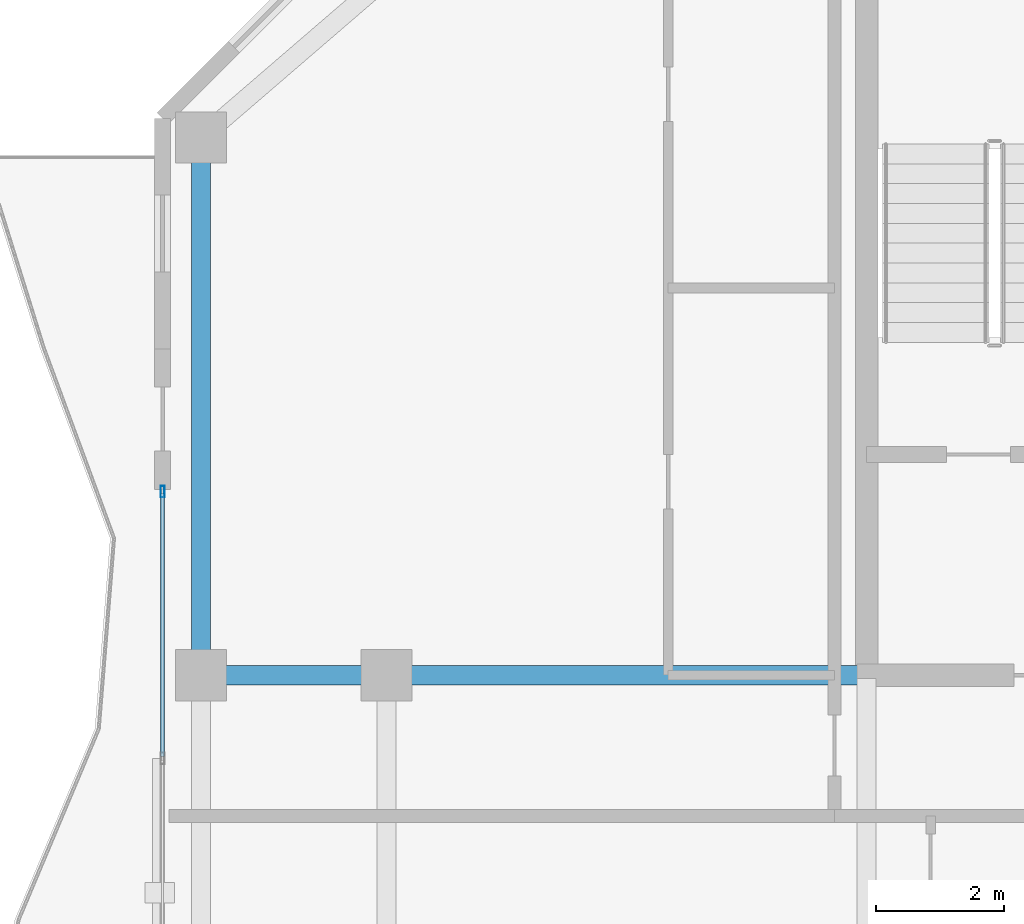
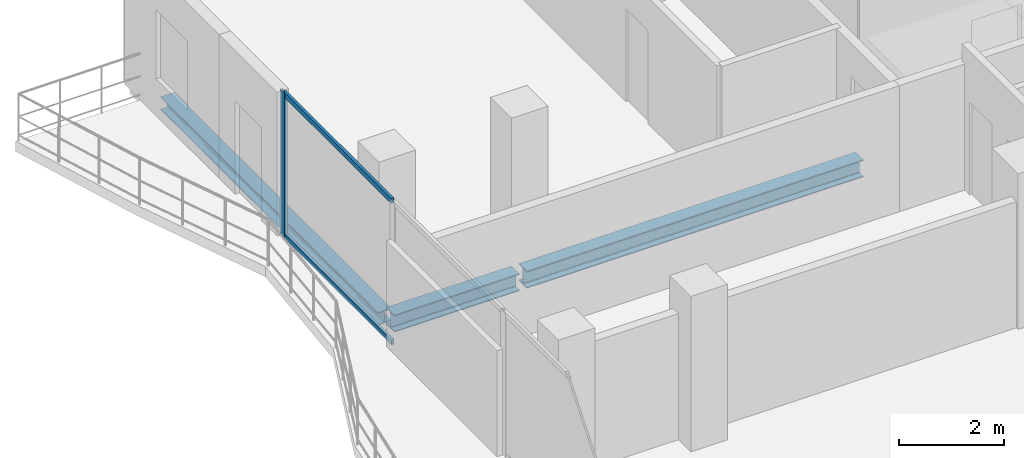
# One storey, part 9 of 23: 3 beams, 3 members, 1 element without a shape of its own.
"""IFC4 building model written with IfcOpenShell, lengths in metres."""

from ifc_helpers import new_model, si_unit, direction, frame, origin, origin_2d, place, context, subcontext, project, spatial, hollow_rectangle, i_section, extrude, material, layer, layer_set, material_profile, profile_set, type_object, element, aggregate, save


model = new_model("IFC4")

# Units and contexts
model_context = context("Model", 3, precision=1e-05, world=origin(), true_north=direction((0.0, 1.0)))
body_context = subcontext(model_context, "Body", "Model", "MODEL_VIEW")
ifc_project = project(units=[si_unit("LENGTHUNIT", "METRE"), si_unit("AREAUNIT", "SQUARE_METRE"), si_unit("VOLUMEUNIT", "CUBIC_METRE"), si_unit("PLANEANGLEUNIT", "RADIAN"), si_unit("MASSUNIT", "GRAM", prefix="KILO")], contexts=[model_context])

# Site, building, storey
site_placement = place(None, origin())
site = spatial("IfcSite", under=ifc_project, at=site_placement, CompositionType="ELEMENT")
building_placement = place(site_placement, origin())
building = spatial("IfcBuilding", under=site, at=building_placement, Name="Catumbela Crestline Tower", CompositionType="ELEMENT")
storey_placement = place(building_placement, frame((0.0, 0.0, 183.0)))
storey = spatial("IfcBuildingStorey", under=building, at=storey_placement, Name="L47", CompositionType="ELEMENT", Elevation=183.0)

# Beams
ifc_material_1 = material(Name="Structural steel S355J2", Category="steel")
ifc_material_profile_1 = material_profile(ifc_material_1, i_section(OverallWidth=0.3, OverallDepth=0.4, WebThickness=0.0135, FlangeThickness=0.024, FilletRadius=0.027, at=origin_2d()), Name="HEB 400")
ifc_profile_set_1 = profile_set([ifc_material_profile_1], Name="Structural steel S355J2")
beam_type_1 = type_object("IfcBeamType", Name="BG-HEB400", PredefinedType="BEAM", material=ifc_profile_set_1)
beam_1_placement = place(storey_placement, frame((5.68, 30.8, -0.46), z_axis=(1.0, 0.0, 0.0), x_axis=(0.0, 1.0, 0.0)))
element("IfcBeam", 1, at=beam_1_placement, inside=storey, type_object=beam_type_1, Name="L47 Beam BM-L47-M06", PredefinedType="BEAM", context=body_context, shape_type="SweptSolid", body=[
    extrude(i_section(OverallWidth=0.3, OverallDepth=0.4, WebThickness=0.0135, FlangeThickness=0.024, FilletRadius=0.027, at=origin_2d()), origin(), (0.0, 0.0, 1.0), 2.74),
])
beam_2_placement = place(storey_placement, frame((8.58, 30.8, -0.46), z_axis=(1.0, 0.0, 0.0), x_axis=(0.0, 1.0, 0.0)))
element("IfcBeam", 2, at=beam_2_placement, inside=storey, type_object=beam_type_1, Name="L47 Beam BM-L47-M07", PredefinedType="BEAM", context=body_context, shape_type="SweptSolid", body=[
    extrude(i_section(OverallWidth=0.3, OverallDepth=0.4, WebThickness=0.0135, FlangeThickness=0.024, FilletRadius=0.027, at=origin_2d()), origin(), (0.0, 0.0, 1.0), 7.37),
])

# Curtain wall, member
ifc_material_2 = material(Name="Aluminium alloy AW-6060-T66", Category="aluminium")
ifc_layer = layer(ifc_material_2, 0.18, Name="Aluminium alloy AW-6060-T66")
ifc_layer_set = layer_set([ifc_layer], Name="Aluminium alloy AW-6060-T66")
curtain_wall_type = type_object("IfcCurtainWallType", Name="CWU-Z3", PredefinedType="USERDEFINED", material=ifc_layer_set)
curtain_wall_placement = place(storey_placement, origin())
curtain_wall = element("IfcCurtainWall", 3, at=curtain_wall_placement, inside=storey, type_object=curtain_wall_type, Name="L47 Unitised Curtain Wall CW-L47-E9S2", ObjectType="UNITISED", PredefinedType="USERDEFINED")
ifc_material_profile_2 = material_profile(ifc_material_2, hollow_rectangle(XDim=0.065, YDim=0.18, WallThickness=0.004, at=origin_2d()), Name="ALU 180x65x4")
ifc_profile_set_2 = profile_set([ifc_material_profile_2], Name="Aluminium alloy AW-6060-T66")
member_type_1 = type_object("IfcMemberType", Name="MUL-180X65", PredefinedType="MULLION", material=ifc_profile_set_2)
member_1_placement = place(storey_placement, frame((5.0, 33.6675, 0.0), z_axis=(0.0, 0.0, 1.0), x_axis=(1.0, 0.0, 0.0)))
member_1 = element("IfcMember", 4, at=member_1_placement, type_object=member_type_1, Name="CWU-Z3 mullion 1", PredefinedType="MULLION", context=body_context, shape_type="SweptSolid", body=[
    extrude(hollow_rectangle(XDim=0.065, YDim=0.18, WallThickness=0.004, at=origin_2d()), origin(), (0.0, 0.0, 1.0), 3.33),
])

# Beam
ifc_material_profile_3 = material_profile(ifc_material_1, i_section(OverallWidth=0.3, OverallDepth=0.3, WebThickness=0.011, FlangeThickness=0.019, FilletRadius=0.027, at=origin_2d()), Name="HEB 300")
ifc_profile_set_3 = profile_set([ifc_material_profile_3], Name="Structural steel S355J2")
beam_type_2 = type_object("IfcBeamType", Name="BS-HEB300", PredefinedType="SPANDREL", material=ifc_profile_set_3)
beam_3_placement = place(storey_placement, frame((5.6, 30.88, -0.41), z_axis=(0.0, 1.0, 0.0), x_axis=(-1.0, 0.0, 0.0)))
element("IfcBeam", 5, at=beam_3_placement, inside=storey, type_object=beam_type_2, Name="L47 Spandrel SP-L47-SN15", PredefinedType="SPANDREL", context=body_context, shape_type="SweptSolid", body=[
    extrude(i_section(OverallWidth=0.3, OverallDepth=0.3, WebThickness=0.011, FlangeThickness=0.019, FilletRadius=0.027, at=origin_2d()), origin(), (0.0, 0.0, 1.0), 8.24),
])

# Member
ifc_material_profile_4 = material_profile(ifc_material_2, hollow_rectangle(XDim=0.06, YDim=0.12, WallThickness=0.0035, at=origin_2d()), Name="ALU 120x60x3.5")
ifc_profile_set_4 = profile_set([ifc_material_profile_4], Name="Aluminium alloy AW-6060-T66")
member_type_2 = type_object("IfcMemberType", Name="TRN-120X60", PredefinedType="USERDEFINED", material=ifc_profile_set_4)
member_2_placement = place(storey_placement, frame((5.0, 33.635, 0.03), z_axis=(0.0, -1.0, 0.0), x_axis=(1.0, 0.0, 0.0)))
member_2 = element("IfcMember", 6, at=member_2_placement, type_object=member_type_2, Name="CWU-Z3 transom 1.1", ObjectType="TRANSOM", PredefinedType="USERDEFINED", context=body_context, shape_type="SweptSolid", body=[
    extrude(hollow_rectangle(XDim=0.06, YDim=0.12, WallThickness=0.0035, at=origin_2d()), origin(), (0.0, 0.0, 1.0), 4.1025),
])

member_3_placement = place(storey_placement, frame((5.0, 33.635, 3.3), z_axis=(0.0, -1.0, 0.0), x_axis=(1.0, 0.0, 0.0)))
member_3 = element("IfcMember", 7, at=member_3_placement, type_object=member_type_2, Name="CWU-Z3 transom 1.2", ObjectType="TRANSOM", PredefinedType="USERDEFINED", context=body_context, shape_type="SweptSolid", body=[
    extrude(hollow_rectangle(XDim=0.06, YDim=0.12, WallThickness=0.0035, at=origin_2d()), origin(), (0.0, 0.0, 1.0), 4.1025),
])

aggregate(curtain_wall, [member_1, member_2, member_3])

save(model, "model.ifc")
